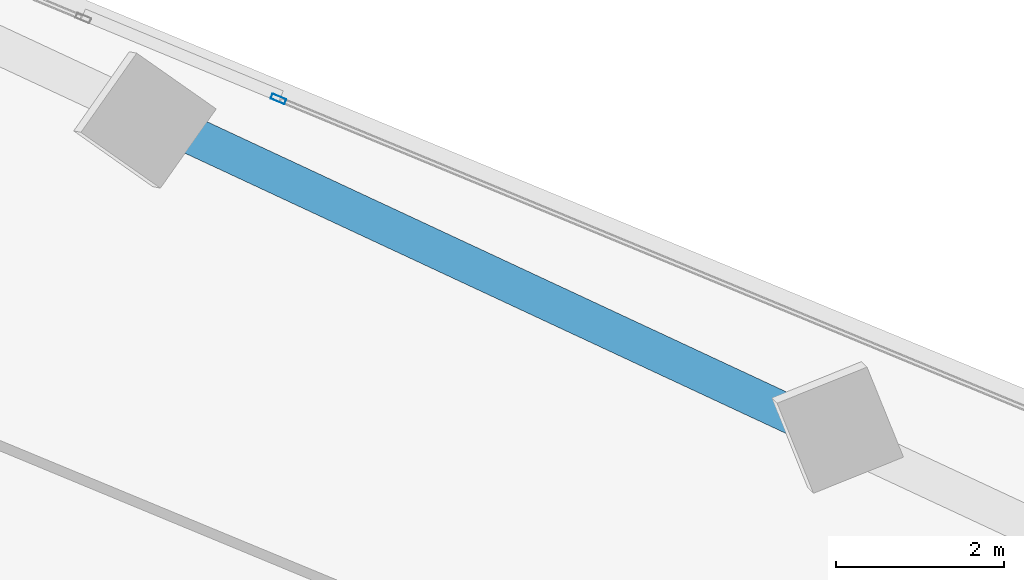
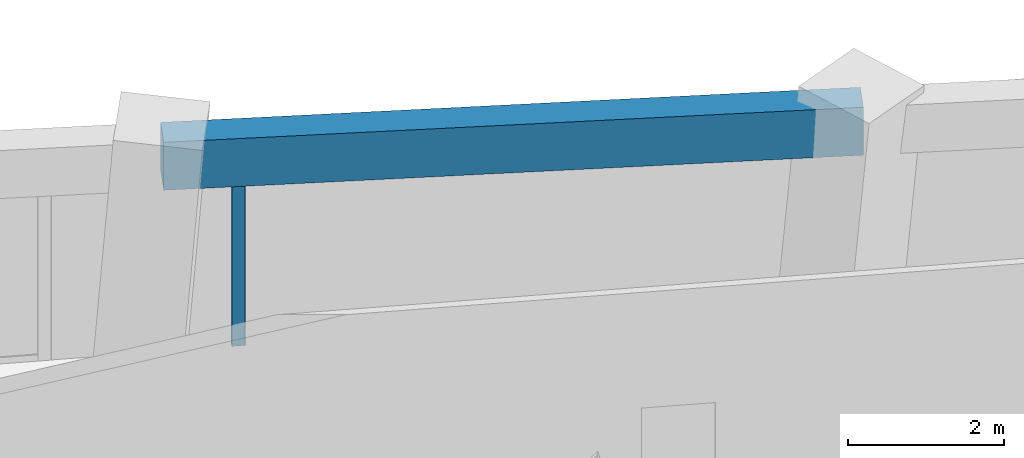
# One storey, part 12 of 22: 1 beam, 1 member, 1 element without a shape of its own.
"""IFC4 building model written with IfcOpenShell, lengths in metres."""

from ifc_helpers import new_model, si_unit, direction, frame, origin, origin_2d, place, context, subcontext, project, spatial, rectangle, hollow_rectangle, extrude, source, transform, mapped, material, material_profile, profile_set, type_object, element, aggregate, save


model = new_model("IFC4")

# Units and contexts
model_context = context("Model", 3, precision=1e-05, world=origin(), true_north=direction((0.0, 1.0)))
body_context = subcontext(model_context, "Body", "Model", "MODEL_VIEW")
ifc_project = project(units=[si_unit("LENGTHUNIT", "METRE"), si_unit("AREAUNIT", "SQUARE_METRE"), si_unit("VOLUMEUNIT", "CUBIC_METRE"), si_unit("PLANEANGLEUNIT", "RADIAN"), si_unit("MASSUNIT", "GRAM", prefix="KILO")], contexts=[model_context])

# Site, building, storey
site_placement = place(None, origin())
site = spatial("IfcSite", under=ifc_project, at=site_placement, CompositionType="ELEMENT")
building_placement = place(site_placement, origin())
building = spatial("IfcBuilding", under=site, at=building_placement, Name="Torre Montelarca", CompositionType="ELEMENT")
storey_placement = place(building_placement, frame((0.0, 0.0, 149.800048828125)))
storey = spatial("IfcBuildingStorey", under=building, at=storey_placement, Name="L33", CompositionType="ELEMENT", Elevation=149.800048828125)

# Beam
ifc_material_1 = material(Name="Concrete C55/67", Category="concrete")
ifc_material_profile_1 = material_profile(ifc_material_1, rectangle(XDim=0.449951171875, YDim=0.75, at=origin_2d()), Name="RCB450X750", Category="concrete")
ifc_profile_set_1 = profile_set([ifc_material_profile_1], Name="Concrete C55/67")
beam_type = type_object("IfcBeamType", Name="BM-SP-RC750-EXT", PredefinedType="SPANDREL", material=ifc_profile_set_1)
shared_shape_1 = source(origin(), body_context, "Body", "SweptSolid", [
    extrude(rectangle(XDim=0.449951171875, YDim=0.75, at=origin_2d()), origin(), (0.0, 0.0, 1.0), 9.0),
])
beam_placement = place(storey_placement, frame((24.730712890625, 47.209716796875, 3.5849609375), z_axis=(0.906311307826, -0.422610711302, 0.0), x_axis=(0.422610711302, 0.906311307826, 0.0)))
element("IfcBeam", 1, at=beam_placement, inside=storey, type_object=beam_type, Name="L33 Grid Girder X 18.0-27.0 at Y=47.1", PredefinedType="SPANDREL", context=body_context, shape_type="MappedRepresentation", body=[
    mapped(shared_shape_1, transform((0.0, 0.0, 0.0), scale=1.0)),
])

# Curtain wall, member
ifc_material_2 = material(Name="Insulated low-E laminated glass", Category="glass")
curtain_wall_type = type_object("IfcCurtainWallType", Name="CW-SYS-Z2", PredefinedType="USERDEFINED", material=ifc_material_2)
curtain_wall_placement = place(storey_placement, origin())
curtain_wall = element("IfcCurtainWall", 2, at=curtain_wall_placement, inside=storey, type_object=curtain_wall_type, Name="L33 Curtain Wall Run CW-T3-L33-E08-B1", ObjectType="UNITISED GLAZING", PredefinedType="USERDEFINED")
ifc_material_3 = material(Name="Anodised aluminium AA 6063-T6", Category="aluminium")
ifc_material_profile_2 = material_profile(ifc_material_3, hollow_rectangle(XDim=0.06494140625, YDim=0.179931640625, WallThickness=0.00390625, InnerFilletRadius=0.00390625, OuterFilletRadius=0.008056640625, at=origin_2d()), Name="ALU65X180X4", Category="aluminium")
ifc_profile_set_2 = profile_set([ifc_material_profile_2], Name="Anodised aluminium AA 6063-T6")
member_type = type_object("IfcMemberType", Name="CWM-ALU180", PredefinedType="MULLION", material=ifc_profile_set_2)
shared_shape_2 = source(origin(), body_context, "Body", "SweptSolid", [
    extrude(hollow_rectangle(XDim=0.06494140625, YDim=0.179931640625, WallThickness=0.00390625, InnerFilletRadius=0.00390625, OuterFilletRadius=0.008056640625, at=origin_2d()), origin(), (0.0, 0.0, 1.0), 3.175048828125),
])
member_placement = place(storey_placement, frame((26.034423828125, 47.515869140625, 0.0), z_axis=(0.0, 0.0, 1.0), x_axis=(-0.382686042427, -0.923878451384, 0.0)))
member = element("IfcMember", 3, at=member_placement, type_object=member_type, Name="CW mullion 3", PredefinedType="MULLION", context=body_context, shape_type="MappedRepresentation", body=[
    mapped(shared_shape_2, transform((0.0, 0.0, 0.0), scale=1.0)),
])
aggregate(curtain_wall, [member])

save(model, "model.ifc")
